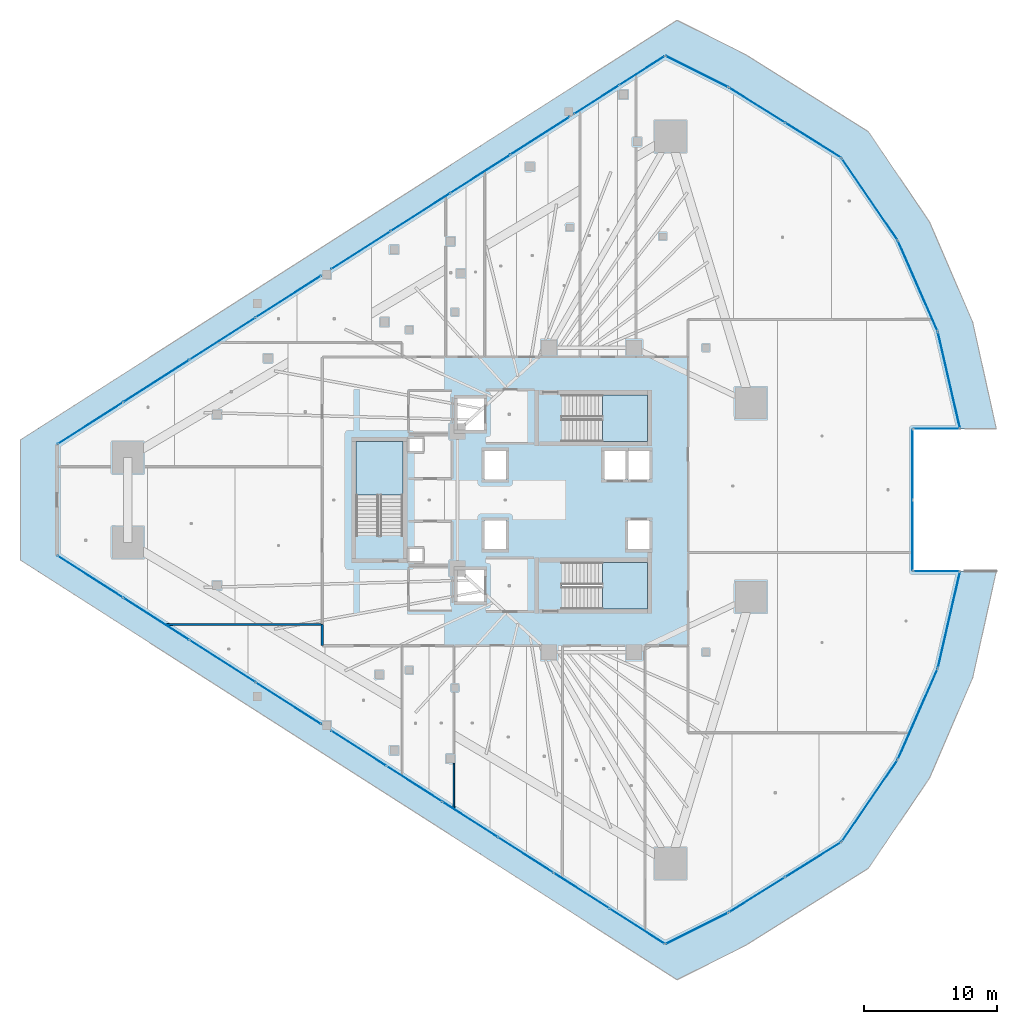
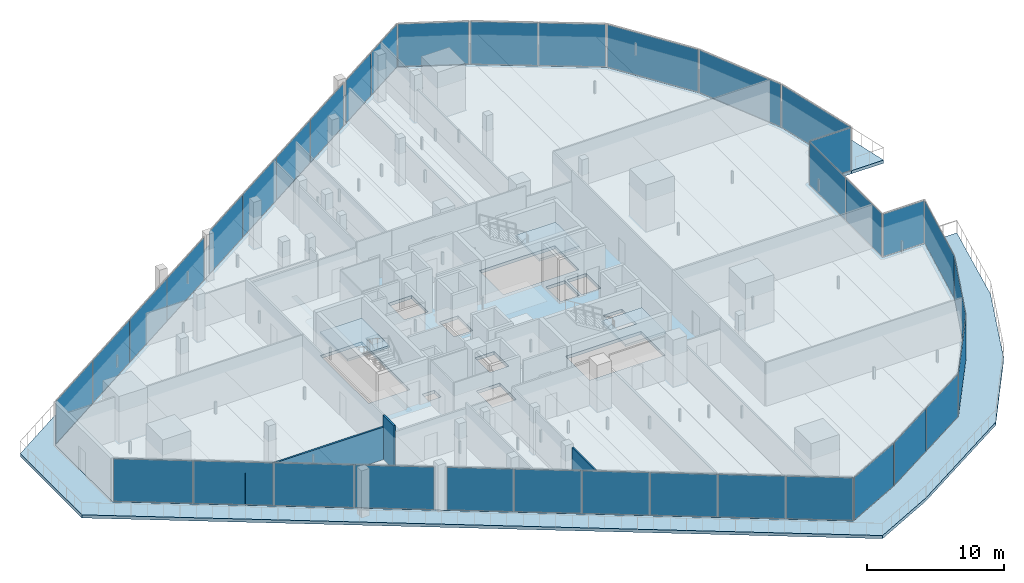
# One storey, part 28 of 44: 36 plates, 5 slabs, 3 walls, 21 elements without a shape of their own.
"""IFC4 building model written with IfcOpenShell, lengths in metres."""

from ifc_helpers import new_model, si_unit, direction, frame, frame_2d, origin, origin_2d, place, context, subcontext, project, spatial, polyline, rectangle, outline, extrude, material, layer, layer_set, type_object, element, aggregate, save


model = new_model("IFC4")

# Units and contexts
model_context = context("Model", 3, precision=1e-05, world=origin(), true_north=direction((0.0, 1.0)))
body_context = subcontext(model_context, "Body", "Model", "MODEL_VIEW")
ifc_project = project(units=[si_unit("LENGTHUNIT", "METRE"), si_unit("AREAUNIT", "SQUARE_METRE"), si_unit("VOLUMEUNIT", "CUBIC_METRE"), si_unit("PLANEANGLEUNIT", "RADIAN"), si_unit("MASSUNIT", "GRAM", prefix="KILO")], contexts=[model_context])

# Site, building, storey
site_placement = place(None, origin())
site = spatial("IfcSite", under=ifc_project, at=site_placement, CompositionType="ELEMENT")
building_placement = place(site_placement, origin())
building = spatial("IfcBuilding", under=site, at=building_placement, Name="Qorvath Tower", CompositionType="ELEMENT")
storey_placement = place(building_placement, frame((0.0, 0.0, 53.39990234375)))
storey = spatial("IfcBuildingStorey", under=building, at=storey_placement, Name="L11", CompositionType="ELEMENT", Elevation=53.39990234375)

# Curtain wall, plates
ifc_material_1 = material(Name="Anodised aluminium and triple low-E glass", Category="aluminium")
ifc_layer_1 = layer(ifc_material_1, 0.179931640625)
ifc_layer_set_1 = layer_set([ifc_layer_1], Name="CW-SYS-2")
curtain_wall_type = type_object("IfcCurtainWallType", Name="CW-SYS-2", PredefinedType="NOTDEFINED", material=ifc_layer_set_1)
curtain_wall_1_placement = place(storey_placement, origin())
curtain_wall_1 = element("IfcCurtainWall", 1, at=curtain_wall_1_placement, inside=storey, type_object=curtain_wall_type, Name="Curtain Wall CW-2 CW-T-L11-2.1", PredefinedType="NOTDEFINED")
ifc_material_2 = material(Name="Low-E triple insulated glass", Category="glass")
ifc_layer_2 = layer(ifc_material_2, 0.031982421875)
ifc_layer_set_2 = layer_set([ifc_layer_2], Name="CWP-GLZ-32")
plate_type = type_object("IfcPlateType", Name="CWP-GLZ-32", PredefinedType="CURTAIN_PANEL", material=ifc_layer_set_2)
plate_1_placement = place(storey_placement, frame((-58.10009765625, -5.7744140625, 0.06494140625), z_axis=(0.0, 0.0, 1.0), x_axis=(0.842605152044, -0.538531853978, 0.0)))
plate_1 = element("IfcPlate", 2, at=plate_1_placement, type_object=plate_type, Name="CW-2 panel 1.1", PredefinedType="CURTAIN_PANEL", context=body_context, shape_type="SweptSolid", body=[
    extrude(rectangle(XDim=5.806396484375, YDim=0.031982421875, at=origin_2d()), origin(), (0.0, 0.0, 1.0), 3.790283203125),
])
plate_2_placement = place(storey_placement, frame((-53.13916015625, -8.945068359375, 0.06494140625), z_axis=(0.0, 0.0, 1.0), x_axis=(0.842605152044, -0.538531853978, 0.0)))
plate_2 = element("IfcPlate", 3, at=plate_2_placement, type_object=plate_type, Name="CW-2 panel 2.1", PredefinedType="CURTAIN_PANEL", context=body_context, shape_type="SweptSolid", body=[
    extrude(rectangle(XDim=5.8388671875, YDim=0.031982421875, at=origin_2d()), origin(), (0.0, 0.0, 1.0), 3.790283203125),
])
plate_3_placement = place(storey_placement, frame((-48.164306640625, -12.12451171875, 0.06494140625), z_axis=(0.0, 0.0, 1.0), x_axis=(0.842605152044, -0.538531853978, 0.0)))
plate_3 = element("IfcPlate", 4, at=plate_3_placement, type_object=plate_type, Name="CW-2 panel 3.1", PredefinedType="CURTAIN_PANEL", context=body_context, shape_type="SweptSolid", body=[
    extrude(rectangle(XDim=5.8388671875, YDim=0.031982421875, at=origin_2d()), origin(), (0.0, 0.0, 1.0), 3.790283203125),
])
plate_4_placement = place(storey_placement, frame((-43.203369140625, -15.29541015625, 0.06494140625), z_axis=(0.0, 0.0, 1.0), x_axis=(0.842605152044, -0.538531853978, 0.0)))
plate_4 = element("IfcPlate", 5, at=plate_4_placement, type_object=plate_type, Name="CW-2 panel 4.1", PredefinedType="CURTAIN_PANEL", context=body_context, shape_type="SweptSolid", body=[
    extrude(rectangle(XDim=5.806396484375, YDim=0.031982421875, at=origin_2d()), origin(), (0.0, 0.0, 1.0), 3.790283203125),
])
aggregate(curtain_wall_1, [plate_1, plate_2, plate_3, plate_4])

curtain_wall_2_placement = place(storey_placement, origin())
curtain_wall_2 = element("IfcCurtainWall", 6, at=curtain_wall_2_placement, inside=storey, type_object=curtain_wall_type, Name="Curtain Wall CW-2 CW-T-L11-2.2", PredefinedType="NOTDEFINED")
plate_5_placement = place(storey_placement, frame((-37.916015625, -18.674560546875, 0.06494140625), z_axis=(0.0, 0.0, 1.0), x_axis=(0.842602136698, -0.538536571861, 0.0)))
plate_5 = element("IfcPlate", 7, at=plate_5_placement, type_object=plate_type, Name="CW-2 panel 1.1", PredefinedType="CURTAIN_PANEL", context=body_context, shape_type="SweptSolid", body=[
    extrude(rectangle(XDim=4.879638671875, YDim=0.031982421875, at=origin_2d()), origin(), (0.0, 0.0, 1.0), 3.790283203125),
])
plate_6_placement = place(storey_placement, frame((-33.73583984375, -21.34619140625, 0.06494140625), z_axis=(0.0, 0.0, 1.0), x_axis=(0.842602136698, -0.538536571861, 0.0)))
plate_6 = element("IfcPlate", 8, at=plate_6_placement, type_object=plate_type, Name="CW-2 panel 2.1", PredefinedType="CURTAIN_PANEL", context=body_context, shape_type="SweptSolid", body=[
    extrude(rectangle(XDim=4.912109375, YDim=0.031982421875, at=origin_2d()), origin(), (0.0, 0.0, 1.0), 3.790283203125),
])
plate_7_placement = place(storey_placement, frame((-29.542236328125, -24.026611328125, 0.06494140625), z_axis=(0.0, 0.0, 1.0), x_axis=(0.842602136698, -0.538536571861, 0.0)))
plate_7 = element("IfcPlate", 9, at=plate_7_placement, type_object=plate_type, Name="CW-2 panel 3.1", PredefinedType="CURTAIN_PANEL", context=body_context, shape_type="SweptSolid", body=[
    extrude(rectangle(XDim=4.912109375, YDim=0.031982421875, at=origin_2d()), origin(), (0.0, 0.0, 1.0), 3.790283203125),
])
plate_8_placement = place(storey_placement, frame((-25.348388671875, -26.70703125, 0.06494140625), z_axis=(0.0, 0.0, 1.0), x_axis=(0.842602136698, -0.538536571861, 0.0)))
plate_8 = element("IfcPlate", 10, at=plate_8_placement, type_object=plate_type, Name="CW-2 panel 4.1", PredefinedType="CURTAIN_PANEL", context=body_context, shape_type="SweptSolid", body=[
    extrude(rectangle(XDim=4.912109375, YDim=0.031982421875, at=origin_2d()), origin(), (0.0, 0.0, 1.0), 3.790283203125),
])
plate_9_placement = place(storey_placement, frame((-21.154541015625, -29.387451171875, 0.06494140625), z_axis=(0.0, 0.0, 1.0), x_axis=(0.842602136698, -0.538536571861, 0.0)))
plate_9 = element("IfcPlate", 11, at=plate_9_placement, type_object=plate_type, Name="CW-2 panel 5.1", PredefinedType="CURTAIN_PANEL", context=body_context, shape_type="SweptSolid", body=[
    extrude(rectangle(XDim=4.912109375, YDim=0.031982421875, at=origin_2d()), origin(), (0.0, 0.0, 1.0), 3.790283203125),
])
plate_10_placement = place(storey_placement, frame((-16.974609375, -32.05908203125, 0.06494140625), z_axis=(0.0, 0.0, 1.0), x_axis=(0.842602136698, -0.538536571861, 0.0)))
plate_10 = element("IfcPlate", 12, at=plate_10_placement, type_object=plate_type, Name="CW-2 panel 6.1", PredefinedType="CURTAIN_PANEL", context=body_context, shape_type="SweptSolid", body=[
    extrude(rectangle(XDim=4.879638671875, YDim=0.031982421875, at=origin_2d()), origin(), (0.0, 0.0, 1.0), 3.790283203125),
])
aggregate(curtain_wall_2, [plate_5, plate_6, plate_7, plate_8, plate_9, plate_10])

# Curtain wall, plate
curtain_wall_3_placement = place(storey_placement, origin())
curtain_wall_3 = element("IfcCurtainWall", 13, at=curtain_wall_3_placement, inside=storey, type_object=curtain_wall_type, Name="Curtain Wall CW-2 CW-T-L11-3.1", PredefinedType="NOTDEFINED")
plate_11_placement = place(storey_placement, frame((-12.477783203125, -32.21484375, 0.06494140625), z_axis=(0.0, 0.0, 1.0), x_axis=(0.89440470044, 0.447258573792, 0.0)))
plate_11 = element("IfcPlate", 14, at=plate_11_placement, type_object=plate_type, Name="CW-2 panel 1.1", PredefinedType="CURTAIN_PANEL", context=body_context, shape_type="SweptSolid", body=[
    extrude(rectangle(XDim=5.205810546875, YDim=0.031982421875, at=origin_2d()), origin(), (0.0, 0.0, 1.0), 3.790283203125),
])
aggregate(curtain_wall_3, [plate_11])

# Curtain wall, plates
curtain_wall_4_placement = place(storey_placement, origin())
curtain_wall_4 = element("IfcCurtainWall", 15, at=curtain_wall_4_placement, inside=storey, type_object=curtain_wall_type, Name="Curtain Wall CW-2 CW-T-L11-4.1", PredefinedType="NOTDEFINED")
plate_12_placement = place(storey_placement, frame((-7.9560546875, -29.687744140625, 0.06494140625), z_axis=(0.0, 0.0, 1.0), x_axis=(0.848170054125, 0.529724040691, 0.0)))
plate_12 = element("IfcPlate", 16, at=plate_12_placement, type_object=plate_type, Name="CW-2 panel 1.1", PredefinedType="CURTAIN_PANEL", context=body_context, shape_type="SweptSolid", body=[
    extrude(rectangle(XDim=4.90576171875, YDim=0.031982421875, at=origin_2d()), origin(), (0.0, 0.0, 1.0), 3.790283203125),
])
plate_13_placement = place(storey_placement, frame((-3.73974609375, -27.054443359375, 0.06494140625), z_axis=(0.0, 0.0, 1.0), x_axis=(0.848170054125, 0.529724040691, 0.0)))
plate_13 = element("IfcPlate", 17, at=plate_13_placement, type_object=plate_type, Name="CW-2 panel 2.1", PredefinedType="CURTAIN_PANEL", context=body_context, shape_type="SweptSolid", body=[
    extrude(rectangle(XDim=4.90576171875, YDim=0.031982421875, at=origin_2d()), origin(), (0.0, 0.0, 1.0), 3.790283203125),
])
aggregate(curtain_wall_4, [plate_12, plate_13])

# Curtain wall, plate
curtain_wall_5_placement = place(storey_placement, origin())
curtain_wall_5 = element("IfcCurtainWall", 18, at=curtain_wall_5_placement, inside=storey, type_object=curtain_wall_type, Name="Curtain Wall CW-2 CW-T-L11-5.1", PredefinedType="NOTDEFINED")
plate_14_placement = place(storey_placement, frame((0.509521484375, -22.625, 0.06494140625), z_axis=(0.0, 0.0, 1.0), x_axis=(0.563891314535, 0.825849008834, 0.0)))
plate_14 = element("IfcPlate", 19, at=plate_14_placement, type_object=plate_type, Name="CW-2 panel 1.1", PredefinedType="CURTAIN_PANEL", context=body_context, shape_type="SweptSolid", body=[
    extrude(rectangle(XDim=7.366943359375, YDim=0.031982421875, at=origin_2d()), origin(), (0.0, 0.0, 1.0), 3.790283203125),
])
aggregate(curtain_wall_5, [plate_14])

curtain_wall_6_placement = place(storey_placement, origin())
curtain_wall_6 = element("IfcCurtainWall", 20, at=curtain_wall_6_placement, inside=storey, type_object=curtain_wall_type, Name="Curtain Wall CW-2 CW-T-L11-6.1", PredefinedType="NOTDEFINED")
plate_15_placement = place(storey_placement, frame((4.127197265625, -16.095703125, 0.06494140625), z_axis=(0.0, 0.0, 1.0), x_axis=(0.401177069819, 0.916000523281, 0.0)))
plate_15 = element("IfcPlate", 21, at=plate_15_placement, type_object=plate_type, Name="CW-2 panel 1.1", PredefinedType="CURTAIN_PANEL", context=body_context, shape_type="SweptSolid", body=[
    extrude(rectangle(XDim=7.366943359375, YDim=0.031982421875, at=origin_2d()), origin(), (0.0, 0.0, 1.0), 3.790283203125),
])
aggregate(curtain_wall_6, [plate_15])

curtain_wall_7_placement = place(storey_placement, origin())
curtain_wall_7 = element("IfcCurtainWall", 22, at=curtain_wall_7_placement, inside=storey, type_object=curtain_wall_type, Name="Curtain Wall CW-2 CW-T-L11-7.1", PredefinedType="NOTDEFINED")
plate_16_placement = place(storey_placement, frame((6.47265625, -9.009521484375, 0.06494140625), z_axis=(0.0, 0.0, 1.0), x_axis=(0.224535087188, 0.974466004857, 0.0)))
plate_16 = element("IfcPlate", 23, at=plate_16_placement, type_object=plate_type, Name="CW-2 panel 1.1", PredefinedType="CURTAIN_PANEL", context=body_context, shape_type="SweptSolid", body=[
    extrude(rectangle(XDim=7.366943359375, YDim=0.031982421875, at=origin_2d()), origin(), (0.0, 0.0, 1.0), 3.790283203125),
])
aggregate(curtain_wall_7, [plate_16])

curtain_wall_8_placement = place(storey_placement, origin())
curtain_wall_8 = element("IfcCurtainWall", 24, at=curtain_wall_8_placement, inside=storey, type_object=curtain_wall_type, Name="Curtain Wall CW-2 CW-T-L11-8.1", PredefinedType="NOTDEFINED")
plate_17_placement = place(storey_placement, frame((5.528564453125, -5.356689453125, 0.06494140625), z_axis=(0.0, 0.0, 1.0), x_axis=(-1.0, 0.0, 0.0)))
plate_17 = element("IfcPlate", 25, at=plate_17_placement, type_object=plate_type, Name="CW-2 panel 1.1", PredefinedType="CURTAIN_PANEL", context=body_context, shape_type="SweptSolid", body=[
    extrude(rectangle(XDim=3.44140625, YDim=0.031982421875, at=origin_2d()), origin(), (0.0, 0.0, 1.0), 3.790283203125),
])
aggregate(curtain_wall_8, [plate_17])

# Curtain wall, plates
curtain_wall_9_placement = place(storey_placement, origin())
curtain_wall_9 = element("IfcCurtainWall", 26, at=curtain_wall_9_placement, inside=storey, type_object=curtain_wall_type, Name="Curtain Wall CW-2 CW-T-L11-9.1", PredefinedType="NOTDEFINED")
plate_18_placement = place(storey_placement, frame((3.742919921875, -2.662109375, 0.06494140625), z_axis=(0.0, 0.0, 1.0), x_axis=(0.0, 1.0, 0.0)))
plate_18 = element("IfcPlate", 27, at=plate_18_placement, type_object=plate_type, Name="CW-2 panel 1.1", PredefinedType="CURTAIN_PANEL", context=body_context, shape_type="SweptSolid", body=[
    extrude(rectangle(XDim=5.25927734375, YDim=0.031982421875, at=origin_2d()), origin(), (0.0, 0.0, 1.0), 3.790283203125),
])
plate_19_placement = place(storey_placement, frame((3.742919921875, 2.662109375, 0.06494140625), z_axis=(0.0, 0.0, 1.0), x_axis=(0.0, 1.0, 0.0)))
plate_19 = element("IfcPlate", 28, at=plate_19_placement, type_object=plate_type, Name="CW-2 panel 2.1", PredefinedType="CURTAIN_PANEL", context=body_context, shape_type="SweptSolid", body=[
    extrude(rectangle(XDim=5.25927734375, YDim=0.031982421875, at=origin_2d()), origin(), (0.0, 0.0, 1.0), 3.790283203125),
])
aggregate(curtain_wall_9, [plate_18, plate_19])

# Curtain wall, plate
curtain_wall_10_placement = place(storey_placement, origin())
curtain_wall_10 = element("IfcCurtainWall", 29, at=curtain_wall_10_placement, inside=storey, type_object=curtain_wall_type, Name="Curtain Wall CW-2 CW-T-L11-10.1", PredefinedType="NOTDEFINED")
plate_20_placement = place(storey_placement, frame((5.528564453125, 5.356689453125, 0.06494140625), z_axis=(0.0, 0.0, 1.0), x_axis=(1.0, 0.0, 0.0)))
plate_20 = element("IfcPlate", 30, at=plate_20_placement, type_object=plate_type, Name="CW-2 panel 1.1", PredefinedType="CURTAIN_PANEL", context=body_context, shape_type="SweptSolid", body=[
    extrude(rectangle(XDim=3.44140625, YDim=0.031982421875, at=origin_2d()), origin(), (0.0, 0.0, 1.0), 3.790283203125),
])
aggregate(curtain_wall_10, [plate_20])

curtain_wall_11_placement = place(storey_placement, origin())
curtain_wall_11 = element("IfcCurtainWall", 31, at=curtain_wall_11_placement, inside=storey, type_object=curtain_wall_type, Name="Curtain Wall CW-2 CW-T-L11-11.1", PredefinedType="NOTDEFINED")
plate_21_placement = place(storey_placement, frame((6.47265625, 9.009521484375, 0.06494140625), z_axis=(0.0, 0.0, 1.0), x_axis=(-0.224535087188, 0.974466004857, 0.0)))
plate_21 = element("IfcPlate", 32, at=plate_21_placement, type_object=plate_type, Name="CW-2 panel 1.1", PredefinedType="CURTAIN_PANEL", context=body_context, shape_type="SweptSolid", body=[
    extrude(rectangle(XDim=7.366943359375, YDim=0.031982421875, at=origin_2d()), origin(), (0.0, 0.0, 1.0), 3.790283203125),
])
aggregate(curtain_wall_11, [plate_21])

curtain_wall_12_placement = place(storey_placement, origin())
curtain_wall_12 = element("IfcCurtainWall", 33, at=curtain_wall_12_placement, inside=storey, type_object=curtain_wall_type, Name="Curtain Wall CW-2 CW-T-L11-12.1", PredefinedType="NOTDEFINED")
plate_22_placement = place(storey_placement, frame((4.127197265625, 16.095703125, 0.06494140625), z_axis=(0.0, 0.0, 1.0), x_axis=(-0.401177069819, 0.916000523281, 0.0)))
plate_22 = element("IfcPlate", 34, at=plate_22_placement, type_object=plate_type, Name="CW-2 panel 1.1", PredefinedType="CURTAIN_PANEL", context=body_context, shape_type="SweptSolid", body=[
    extrude(rectangle(XDim=7.366943359375, YDim=0.031982421875, at=origin_2d()), origin(), (0.0, 0.0, 1.0), 3.790283203125),
])
aggregate(curtain_wall_12, [plate_22])

curtain_wall_13_placement = place(storey_placement, origin())
curtain_wall_13 = element("IfcCurtainWall", 35, at=curtain_wall_13_placement, inside=storey, type_object=curtain_wall_type, Name="Curtain Wall CW-2 CW-T-L11-13.1", PredefinedType="NOTDEFINED")
plate_23_placement = place(storey_placement, frame((0.509521484375, 22.625, 0.06494140625), z_axis=(0.0, 0.0, 1.0), x_axis=(-0.563891314535, 0.825849008834, 0.0)))
plate_23 = element("IfcPlate", 36, at=plate_23_placement, type_object=plate_type, Name="CW-2 panel 1.1", PredefinedType="CURTAIN_PANEL", context=body_context, shape_type="SweptSolid", body=[
    extrude(rectangle(XDim=7.366943359375, YDim=0.031982421875, at=origin_2d()), origin(), (0.0, 0.0, 1.0), 3.790283203125),
])
aggregate(curtain_wall_13, [plate_23])

# Curtain wall, plates
curtain_wall_14_placement = place(storey_placement, origin())
curtain_wall_14 = element("IfcCurtainWall", 37, at=curtain_wall_14_placement, inside=storey, type_object=curtain_wall_type, Name="Curtain Wall CW-2 CW-T-L11-14.1", PredefinedType="NOTDEFINED")
plate_24_placement = place(storey_placement, frame((-3.73974609375, 27.054443359375, 0.06494140625), z_axis=(0.0, 0.0, 1.0), x_axis=(-0.848170054125, 0.529724040691, 0.0)))
plate_24 = element("IfcPlate", 38, at=plate_24_placement, type_object=plate_type, Name="CW-2 panel 1.1", PredefinedType="CURTAIN_PANEL", context=body_context, shape_type="SweptSolid", body=[
    extrude(rectangle(XDim=4.90576171875, YDim=0.031982421875, at=origin_2d()), origin(), (0.0, 0.0, 1.0), 3.790283203125),
])
plate_25_placement = place(storey_placement, frame((-7.9560546875, 29.687744140625, 0.06494140625), z_axis=(0.0, 0.0, 1.0), x_axis=(-0.848170054125, 0.529724040691, 0.0)))
plate_25 = element("IfcPlate", 39, at=plate_25_placement, type_object=plate_type, Name="CW-2 panel 2.1", PredefinedType="CURTAIN_PANEL", context=body_context, shape_type="SweptSolid", body=[
    extrude(rectangle(XDim=4.90576171875, YDim=0.031982421875, at=origin_2d()), origin(), (0.0, 0.0, 1.0), 3.790283203125),
])
aggregate(curtain_wall_14, [plate_24, plate_25])

# Curtain wall, plate
curtain_wall_15_placement = place(storey_placement, origin())
curtain_wall_15 = element("IfcCurtainWall", 40, at=curtain_wall_15_placement, inside=storey, type_object=curtain_wall_type, Name="Curtain Wall CW-2 CW-T-L11-15.1", PredefinedType="NOTDEFINED")
plate_26_placement = place(storey_placement, frame((-12.477783203125, 32.21484375, 0.06494140625), z_axis=(0.0, 0.0, 1.0), x_axis=(-0.89440470044, 0.447258573792, 0.0)))
plate_26 = element("IfcPlate", 41, at=plate_26_placement, type_object=plate_type, Name="CW-2 panel 1.1", PredefinedType="CURTAIN_PANEL", context=body_context, shape_type="SweptSolid", body=[
    extrude(rectangle(XDim=5.205810546875, YDim=0.031982421875, at=origin_2d()), origin(), (0.0, 0.0, 1.0), 3.790283203125),
])
aggregate(curtain_wall_15, [plate_26])

# Curtain wall, plates
curtain_wall_16_placement = place(storey_placement, origin())
curtain_wall_16 = element("IfcCurtainWall", 42, at=curtain_wall_16_placement, inside=storey, type_object=curtain_wall_type, Name="Curtain Wall CW-2 CW-T-L11-16.1", PredefinedType="NOTDEFINED")
plate_27_placement = place(storey_placement, frame((-16.60205078125, 32.297119140625, 0.06494140625), z_axis=(0.0, 0.0, 1.0), x_axis=(-0.842604485719, -0.538532896531, 0.0)))
plate_27 = element("IfcPlate", 43, at=plate_27_placement, type_object=plate_type, Name="CW-2 panel 1.1", PredefinedType="CURTAIN_PANEL", context=body_context, shape_type="SweptSolid", body=[
    extrude(rectangle(XDim=3.995361328125, YDim=0.031982421875, at=origin_2d()), origin(), (0.0, 0.0, 1.0), 3.790283203125),
])
plate_28_placement = place(storey_placement, frame((-20.023193359375, 30.110595703125, 0.06494140625), z_axis=(0.0, 0.0, 1.0), x_axis=(-0.842604485719, -0.538532896531, 0.0)))
plate_28 = element("IfcPlate", 44, at=plate_28_placement, type_object=plate_type, Name="CW-2 panel 2.1", PredefinedType="CURTAIN_PANEL", context=body_context, shape_type="SweptSolid", body=[
    extrude(rectangle(XDim=3.995361328125, YDim=0.031982421875, at=origin_2d()), origin(), (0.0, 0.0, 1.0), 3.790283203125),
])
aggregate(curtain_wall_16, [plate_27, plate_28])

curtain_wall_17_placement = place(storey_placement, origin())
curtain_wall_17 = element("IfcCurtainWall", 45, at=curtain_wall_17_placement, inside=storey, type_object=curtain_wall_type, Name="Curtain Wall CW-2 CW-T-L11-16.2", PredefinedType="NOTDEFINED")
plate_29_placement = place(storey_placement, frame((-24.282958984375, 27.38818359375, 0.06494140625), z_axis=(0.0, 0.0, 1.0), x_axis=(-0.842599245537, -0.538541095387, 0.0)))
plate_29 = element("IfcPlate", 46, at=plate_29_placement, type_object=plate_type, Name="CW-2 panel 1.1", PredefinedType="CURTAIN_PANEL", context=body_context, shape_type="SweptSolid", body=[
    extrude(rectangle(XDim=5.24560546875, YDim=0.031982421875, at=origin_2d()), origin(), (0.0, 0.0, 1.0), 3.790283203125),
])
plate_30_placement = place(storey_placement, frame((-28.771240234375, 24.51953125, 0.06494140625), z_axis=(0.0, 0.0, 1.0), x_axis=(-0.842599245537, -0.538541095387, 0.0)))
plate_30 = element("IfcPlate", 47, at=plate_30_placement, type_object=plate_type, Name="CW-2 panel 2.1", PredefinedType="CURTAIN_PANEL", context=body_context, shape_type="SweptSolid", body=[
    extrude(rectangle(XDim=5.278076171875, YDim=0.031982421875, at=origin_2d()), origin(), (0.0, 0.0, 1.0), 3.790283203125),
])
plate_31_placement = place(storey_placement, frame((-33.2734375, 21.641845703125, 0.06494140625), z_axis=(0.0, 0.0, 1.0), x_axis=(-0.842599245537, -0.538541095387, 0.0)))
plate_31 = element("IfcPlate", 48, at=plate_31_placement, type_object=plate_type, Name="CW-2 panel 3.1", PredefinedType="CURTAIN_PANEL", context=body_context, shape_type="SweptSolid", body=[
    extrude(rectangle(XDim=5.278076171875, YDim=0.031982421875, at=origin_2d()), origin(), (0.0, 0.0, 1.0), 3.790283203125),
])
plate_32_placement = place(storey_placement, frame((-37.761962890625, 18.773193359375, 0.06494140625), z_axis=(0.0, 0.0, 1.0), x_axis=(-0.842599245537, -0.538541095387, 0.0)))
plate_32 = element("IfcPlate", 49, at=plate_32_placement, type_object=plate_type, Name="CW-2 panel 4.1", PredefinedType="CURTAIN_PANEL", context=body_context, shape_type="SweptSolid", body=[
    extrude(rectangle(XDim=5.24560546875, YDim=0.031982421875, at=origin_2d()), origin(), (0.0, 0.0, 1.0), 3.790283203125),
])
aggregate(curtain_wall_17, [plate_29, plate_30, plate_31, plate_32])

curtain_wall_18_placement = place(storey_placement, origin())
curtain_wall_18 = element("IfcCurtainWall", 50, at=curtain_wall_18_placement, inside=storey, type_object=curtain_wall_type, Name="Curtain Wall CW-2 CW-T-L11-16.3", PredefinedType="NOTDEFINED")
plate_33_placement = place(storey_placement, frame((-43.203369140625, 15.29541015625, 0.06494140625), z_axis=(0.0, 0.0, 1.0), x_axis=(-0.842605152044, -0.538531853978, 0.0)))
plate_33 = element("IfcPlate", 51, at=plate_33_placement, type_object=plate_type, Name="CW-2 panel 1.1", PredefinedType="CURTAIN_PANEL", context=body_context, shape_type="SweptSolid", body=[
    extrude(rectangle(XDim=5.806396484375, YDim=0.031982421875, at=origin_2d()), origin(), (0.0, 0.0, 1.0), 3.790283203125),
])
plate_34_placement = place(storey_placement, frame((-48.164306640625, 12.12451171875, 0.06494140625), z_axis=(0.0, 0.0, 1.0), x_axis=(-0.842605152044, -0.538531853978, 0.0)))
plate_34 = element("IfcPlate", 52, at=plate_34_placement, type_object=plate_type, Name="CW-2 panel 2.1", PredefinedType="CURTAIN_PANEL", context=body_context, shape_type="SweptSolid", body=[
    extrude(rectangle(XDim=5.8388671875, YDim=0.031982421875, at=origin_2d()), origin(), (0.0, 0.0, 1.0), 3.790283203125),
])
plate_35_placement = place(storey_placement, frame((-53.13916015625, 8.945068359375, 0.06494140625), z_axis=(0.0, 0.0, 1.0), x_axis=(-0.842605152044, -0.538531853978, 0.0)))
plate_35 = element("IfcPlate", 53, at=plate_35_placement, type_object=plate_type, Name="CW-2 panel 3.1", PredefinedType="CURTAIN_PANEL", context=body_context, shape_type="SweptSolid", body=[
    extrude(rectangle(XDim=5.8388671875, YDim=0.031982421875, at=origin_2d()), origin(), (0.0, 0.0, 1.0), 3.790283203125),
])
plate_36_placement = place(storey_placement, frame((-58.10009765625, 5.7744140625, 0.06494140625), z_axis=(0.0, 0.0, 1.0), x_axis=(-0.842605152044, -0.538531853978, 0.0)))
plate_36 = element("IfcPlate", 54, at=plate_36_placement, type_object=plate_type, Name="CW-2 panel 4.1", PredefinedType="CURTAIN_PANEL", context=body_context, shape_type="SweptSolid", body=[
    extrude(rectangle(XDim=5.806396484375, YDim=0.031982421875, at=origin_2d()), origin(), (0.0, 0.0, 1.0), 3.790283203125),
])
aggregate(curtain_wall_18, [plate_33, plate_34, plate_35, plate_36])

# Stair, slab
ifc_material_3 = material(Name="Concrete C50/60", Category="concrete")
stair_type = type_object("IfcStairType", Name="ST-H420", PredefinedType="HALF_TURN_STAIR", material=ifc_material_3)
stair_1_placement = place(storey_placement, origin())
stair_1 = element("IfcStair", 55, at=stair_1_placement, inside=storey, type_object=stair_type, Name="L11 Tower Exit Stair 1", PredefinedType="HALF_TURN_STAIR")
ifc_material_4 = material(Name="Concrete C50/60", Category="concrete")
ifc_layer_3 = layer(ifc_material_4, 0.199951171875)
ifc_layer_set_3 = layer_set([ifc_layer_3], Name="SL-LND-200")
slab_type_1 = type_object("IfcSlabType", Name="SL-LND-200", PredefinedType="LANDING", material=ifc_layer_set_3)
slab_1_placement = place(storey_placement, frame((0.0, 0.0, 1.900146484375)))
slab_1 = element("IfcSlab", 56, at=slab_1_placement, type_object=slab_type_1, Name="TS1 landing 1", PredefinedType="LANDING", context=body_context, shape_type="SweptSolid", body=[
    extrude(outline(polyline([(-19.590087890625, 4.39990234375), (-16.199951171875, 4.39990234375), (-16.199951171875, 7.909912109375), (-19.590087890625, 7.909912109375), (-19.590087890625, 4.39990234375)])), origin(), (0.0, 0.0, 1.0), 0.199951171875),
])
aggregate(stair_1, [slab_1])

stair_2_placement = place(storey_placement, origin())
stair_2 = element("IfcStair", 57, at=stair_2_placement, inside=storey, type_object=stair_type, Name="L11 Tower Exit Stair 2", PredefinedType="HALF_TURN_STAIR")
slab_2_placement = place(storey_placement, frame((0.0, 0.0, 1.900146484375)))
slab_2 = element("IfcSlab", 58, at=slab_2_placement, type_object=slab_type_1, Name="TS2 landing 1", PredefinedType="LANDING", context=body_context, shape_type="SweptSolid", body=[
    extrude(outline(polyline([(-19.590087890625, -8.199951171875), (-16.199951171875, -8.199951171875), (-16.199951171875, -4.68994140625), (-19.590087890625, -4.68994140625), (-19.590087890625, -8.199951171875)])), origin(), (0.0, 0.0, 1.0), 0.199951171875),
])
aggregate(stair_2, [slab_2])

stair_3_placement = place(storey_placement, origin())
stair_3 = element("IfcStair", 59, at=stair_3_placement, inside=storey, type_object=stair_type, Name="L11 Tower Exit Stair 3", PredefinedType="HALF_TURN_STAIR")
slab_3_placement = place(storey_placement, frame((0.0, 0.0, 1.900146484375)))
slab_3 = element("IfcSlab", 60, at=slab_3_placement, type_object=slab_type_1, Name="TS3 landing 1", PredefinedType="LANDING", context=body_context, shape_type="SweptSolid", body=[
    extrude(outline(polyline([(-34.60009765625, 0.360107421875), (-34.60009765625, 4.39990234375), (-38.110107421875, 4.39990234375), (-38.110107421875, 0.360107421875), (-34.60009765625, 0.360107421875)])), origin(), (0.0, 0.0, 1.0), 0.199951171875),
])
aggregate(stair_3, [slab_3])

# Slabs
ifc_material_5 = material(Name="Precast concrete C45/55", Category="concrete")
ifc_layer_4 = layer(ifc_material_5, 0.280029296875)
ifc_layer_set_4 = layer_set([ifc_layer_4], Name="SL-LOG-280")
slab_type_2 = type_object("IfcSlabType", Name="SL-LOG-280", PredefinedType="FLOOR", material=ifc_layer_set_4)
slab_4_placement = place(storey_placement, frame((0.0, 0.0, -0.27978515625)))
element("IfcSlab", 61, at=slab_4_placement, inside=storey, type_object=slab_type_2, Name="Tower L11 Perimeter Loggia and Terrace Slab", PredefinedType="FLOOR", context=body_context, shape_type="SweptSolid", body=[
    extrude(outline(polyline([(7.314208984375, -5.356689453125), (5.630859375, -12.662109375), (2.623291015625, -19.529296875), (-1.604248046875, -25.720703125), (-10.091552734375, -31.021484375), (-14.864013671875, -33.407958984375), (-60.60107421875, -4.176025390625), (-60.60107421875, 4.176025390625), (-14.864013671875, 33.407958984375), (-10.091552734375, 31.021484375), (-1.604248046875, 25.720703125), (2.623291015625, 19.529296875), (5.630859375, 12.662109375), (7.314208984375, 5.356689453125), (10.030029296875, 5.356689453125), (8.257568359375, 13.365966796875), (5.013427734375, 20.900146484375), (0.4130859375, 27.691650390625), (-8.82080078125, 33.499267578125), (-13.974609375, 36.076171875), (-63.364501953125, 4.509521484375), (-63.364501953125, -4.509521484375), (-13.974609375, -36.076171875), (-8.82080078125, -33.499267578125), (0.4130859375, -27.691650390625), (5.013427734375, -20.900146484375), (8.257568359375, -13.365966796875), (10.030029296875, -5.356689453125), (7.314208984375, -5.356689453125)])), origin(), (0.0, 0.0, 1.0), 0.27978515625),
])
ifc_material_6 = material(Name="Concrete C45/55", Category="concrete")
ifc_layer_5 = layer(ifc_material_6, 0.280029296875)
ifc_layer_set_5 = layer_set([ifc_layer_5], Name="SL-TYP-280")
slab_type_3 = type_object("IfcSlabType", Name="SL-TYP-280", PredefinedType="FLOOR", material=ifc_layer_set_5)
slab_5_placement = place(storey_placement, frame((0.0, 0.0, -0.27978515625)))
element("IfcSlab", 62, at=slab_5_placement, inside=storey, type_object=slab_type_3, Name="Tower L11 Interior Floor Slab", PredefinedType="FLOOR", context=body_context, shape_type="SweptSolid", body=[
    extrude(outline(polyline([(-60.60107421875, 4.176025390625), (-60.60107421875, -4.176025390625), (-14.864013671875, -33.407958984375), (-10.091552734375, -31.021484375), (-1.604248046875, -25.720703125), (2.623291015625, -19.529296875), (5.630859375, -12.662109375), (7.314208984375, -5.356689453125), (3.742919921875, -5.356689453125), (3.742919921875, 5.356689453125), (7.314208984375, 5.356689453125), (5.630859375, 12.662109375), (2.623291015625, 19.529296875), (-1.604248046875, 25.720703125), (-10.091552734375, 31.021484375), (-14.864013671875, 33.407958984375), (-60.60107421875, 4.176025390625)]), holes=[polyline([(-17.64990234375, -3.699951171875), (-17.64990234375, -1.550048828125), (-16.050048828125, -1.550048828125), (-16.050048828125, -3.699951171875), (-17.64990234375, -3.699951171875)]), polyline([(-17.64990234375, 1.550048828125), (-17.64990234375, 3.699951171875), (-16.050048828125, 3.699951171875), (-16.050048828125, 1.550048828125), (-17.64990234375, 1.550048828125)]), polyline([(-16.2451171875, -8.199951171875), (-22.625, -8.199951171875), (-22.625, -4.68994140625), (-16.2451171875, -4.68994140625), (-16.2451171875, -8.199951171875)]), polyline([(-22.625, 4.39990234375), (-22.625, 7.909912109375), (-16.2451171875, 7.909912109375), (-16.2451171875, 4.39990234375), (-22.625, 4.39990234375)]), polyline([(-17.85009765625, 1.550048828125), (-19.449951171875, 1.550048828125), (-19.449951171875, 3.699951171875), (-17.85009765625, 3.699951171875), (-17.85009765625, 1.550048828125)]), polyline([(-28.449951171875, -3.699951171875), (-28.449951171875, -1.550048828125), (-26.85009765625, -1.550048828125), (-26.85009765625, -3.699951171875), (-28.449951171875, -3.699951171875)]), polyline([(-26.85009765625, 1.550048828125), (-28.449951171875, 1.550048828125), (-28.449951171875, 3.699951171875), (-26.85009765625, 3.699951171875), (-26.85009765625, 1.550048828125)]), polyline([(-28.5, -7.64990234375), (-30.5, -7.64990234375), (-30.5, -5.25), (-28.5, -5.25), (-28.5, -7.64990234375)]), polyline([(-30.5, 5.25), (-30.5, 7.64990234375), (-28.5, 7.64990234375), (-28.5, 5.25), (-30.5, 5.25)]), polyline([(-34.14990234375, -4.6201171875), (-34.14990234375, -3.64990234375), (-33.10009765625, -3.64990234375), (-33.10009765625, -4.6201171875), (-34.14990234375, -4.6201171875)]), polyline([(-34.14990234375, 3.64990234375), (-34.14990234375, 4.6201171875), (-33.10009765625, 4.6201171875), (-33.10009765625, 3.64990234375), (-34.14990234375, 3.64990234375)]), polyline([(-34.60009765625, -2.675048828125), (-38.110107421875, -2.675048828125), (-38.110107421875, 4.35498046875), (-34.60009765625, 4.35498046875), (-34.60009765625, -2.675048828125)])]), origin(), (0.0, 0.0, 1.0), 0.27978515625),
])

# Walls
ifc_material_7 = material(Name="Double acoustic gypsum board on steel studs", Category="steel")
ifc_layer_6 = layer(ifc_material_7, 0.159912109375)
ifc_layer_set_6 = layer_set([ifc_layer_6], Name="IW-ACOUSTIC-160")
wall_type_1 = type_object("IfcWallType", Name="IW-ACOUSTIC-160", PredefinedType="PARTITIONING", material=ifc_layer_set_6)
wall_1_placement = place(storey_placement, frame((-40.657958984375, -10.93310546875, 0.0), z_axis=(0.0, 0.0, 1.0), x_axis=(0.0, 1.0, 0.0)))
element("IfcWall", 63, at=wall_1_placement, inside=storey, type_object=wall_type_1, Name="Interior Partition IW-T1-L11-050", PredefinedType="PARTITIONING", context=body_context, shape_type="SweptSolid", body=[
    extrude(rectangle(XDim=1.55859375, YDim=0.159912109375, at=frame_2d((0.779296875, 0.0))), origin(), (0.0, 0.0, 1.0), 3.920166015625),
])
wall_2_placement = place(storey_placement, frame((-40.68310546875, -9.349609375, 0.0), z_axis=(0.0, 0.0, 1.0), x_axis=(-1.0, 0.0, 0.0)))
element("IfcWall", 64, at=wall_2_placement, inside=storey, type_object=wall_type_1, Name="Interior Partition IW-T1-L11-051", PredefinedType="PARTITIONING", context=body_context, shape_type="SweptSolid", body=[
    extrude(rectangle(XDim=11.7431640625, YDim=0.159912109375, at=frame_2d((5.87158203125, 0.0))), origin(), (0.0, 0.0, 1.0), 2.89013671875),
])
ifc_material_8 = material(Name="Gypsum board on metal studs with mineral wool", Category="gypsum")
ifc_layer_7 = layer(ifc_material_8, 0.125)
ifc_layer_set_7 = layer_set([ifc_layer_7], Name="IW-PART-125")
wall_type_2 = type_object("IfcWallType", Name="IW-PART-125", PredefinedType="PARTITIONING", material=ifc_layer_set_7)
wall_3_placement = place(storey_placement, frame((-30.75732421875, -23.169921875, 0.0), z_axis=(0.0, 0.0, 1.0), x_axis=(0.0, 1.0, 0.0)))
element("IfcWall", 65, at=wall_3_placement, inside=storey, type_object=wall_type_2, Name="Interior Partition IW-T1-L11-036", PredefinedType="PARTITIONING", context=body_context, shape_type="SweptSolid", body=[
    extrude(rectangle(XDim=3.319580078125, YDim=0.125, at=frame_2d((1.65966796875, 0.0))), origin(), (0.0, 0.0, 1.0), 3.920166015625),
])

save(model, "model.ifc")
